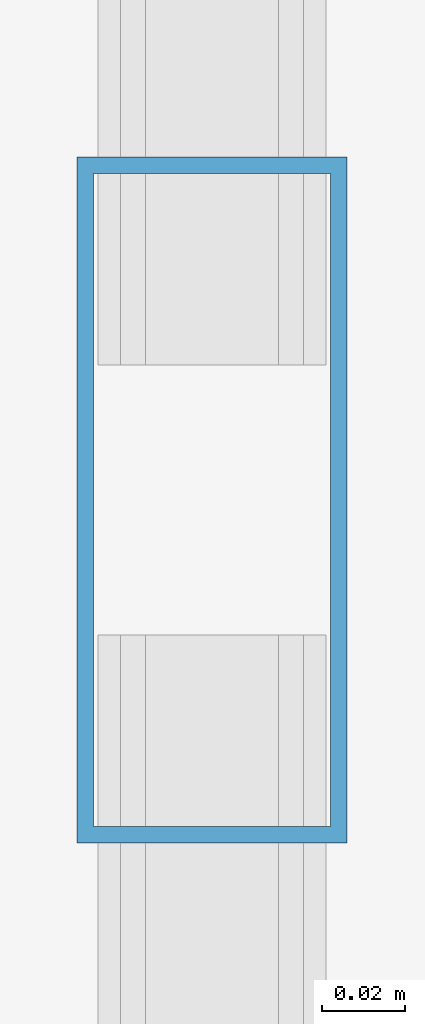
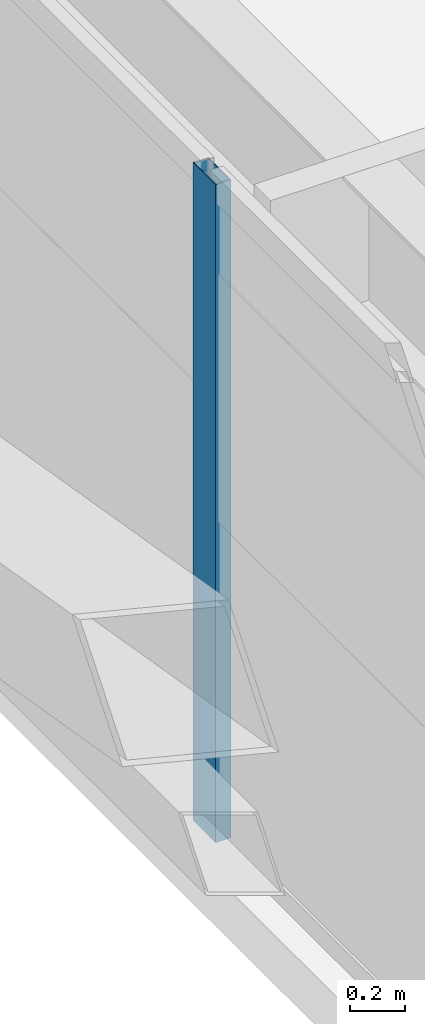
# One storey, part 8 of 59: 1 member, 1 element without a shape of its own.
"""IFC4 building model written with IfcOpenShell, lengths in metres."""

from ifc_helpers import new_model, si_unit, direction, frame, origin, origin_2d, place, context, subcontext, project, spatial, hollow_rectangle, extrude, source, transform, mapped, material, layer, layer_set, material_profile, profile_set, type_object, element, aggregate, save


model = new_model("IFC4")

# Units and contexts
model_context = context("Model", 3, precision=1e-05, world=origin(), true_north=direction((0.0, 1.0)))
body_context = subcontext(model_context, "Body", "Model", "MODEL_VIEW")
ifc_project = project(units=[si_unit("LENGTHUNIT", "METRE"), si_unit("AREAUNIT", "SQUARE_METRE"), si_unit("VOLUMEUNIT", "CUBIC_METRE"), si_unit("PLANEANGLEUNIT", "RADIAN"), si_unit("MASSUNIT", "GRAM", prefix="KILO")], contexts=[model_context])

# Site, building, storey
site_placement = place(None, origin())
site = spatial("IfcSite", under=ifc_project, at=site_placement, CompositionType="ELEMENT")
building_placement = place(site_placement, origin())
building = spatial("IfcBuilding", under=site, at=building_placement, Name="Taldren Reach Tower", CompositionType="ELEMENT")
storey_placement = place(building_placement, frame((0.0, 0.0, 26.25)))
storey = spatial("IfcBuildingStorey", under=building, at=storey_placement, Name="L07", CompositionType="ELEMENT", Elevation=26.25)

# Curtain wall, member
ifc_material_1 = material(Name="Aluminium and Low-E Glass Unitised System", Category="aluminium")
ifc_layer = layer(ifc_material_1, 0.159912109375)
ifc_layer_set = layer_set([ifc_layer], Name="Aluminium and Low-E Glass Unitised System")
curtain_wall_type = type_object("IfcCurtainWallType", Name="CW-SYS-2", PredefinedType="NOTDEFINED", material=ifc_layer_set)
curtain_wall_placement = place(storey_placement, origin())
curtain_wall = element("IfcCurtainWall", 1, at=curtain_wall_placement, inside=storey, type_object=curtain_wall_type, Name="Unitised curtain wall CW-L07-W", PredefinedType="NOTDEFINED")
ifc_material_2 = material(Name="Anodised Aluminium 6063-T6", Category="aluminium")
ifc_material_profile = material_profile(ifc_material_2, hollow_rectangle(XDim=0.06494140625, YDim=0.1650390625, WallThickness=0.00390625, at=origin_2d()), Name="ALU-165x65x4RHS")
ifc_profile_set = profile_set([ifc_material_profile], Name="Anodised Aluminium 6063-T6")
member_type = type_object("IfcMemberType", Name="CW-MUL-165", PredefinedType="MULLION", material=ifc_profile_set)
shared_shape = source(origin(), body_context, "Body", "SweptSolid", [
    extrude(hollow_rectangle(XDim=0.06494140625, YDim=0.1650390625, WallThickness=0.00390625, at=origin_2d()), origin(), (0.0, 0.0, 1.0), 2.929931640625),
])
member_placement = place(storey_placement, frame((5.139892578125, 11.388916015625, 0.0), z_axis=(0.0, 0.0, 1.0), x_axis=(1.0, 0.0, 0.0)))
member = element("IfcMember", 2, at=member_placement, type_object=member_type, Name="CW-2 mullion 8", PredefinedType="MULLION", context=body_context, shape_type="MappedRepresentation", body=[
    mapped(shared_shape, transform((0.0, 0.0, 0.0), scale=1.0)),
])
aggregate(curtain_wall, [member])

save(model, "model.ifc")
